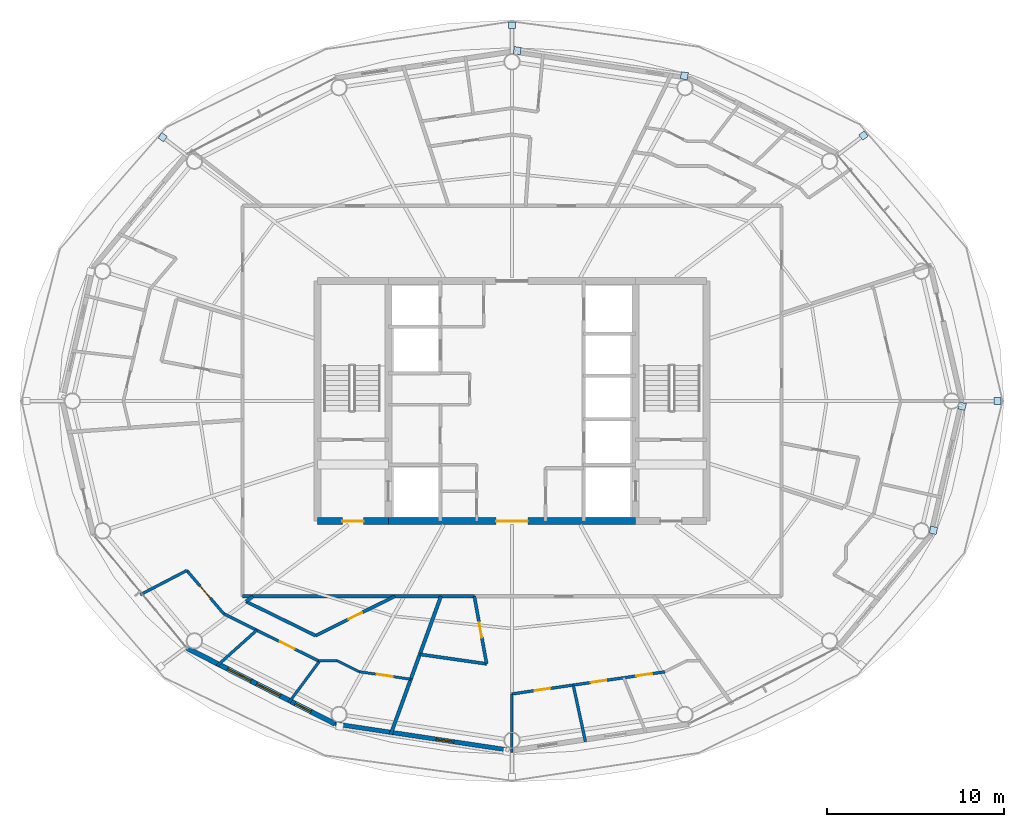
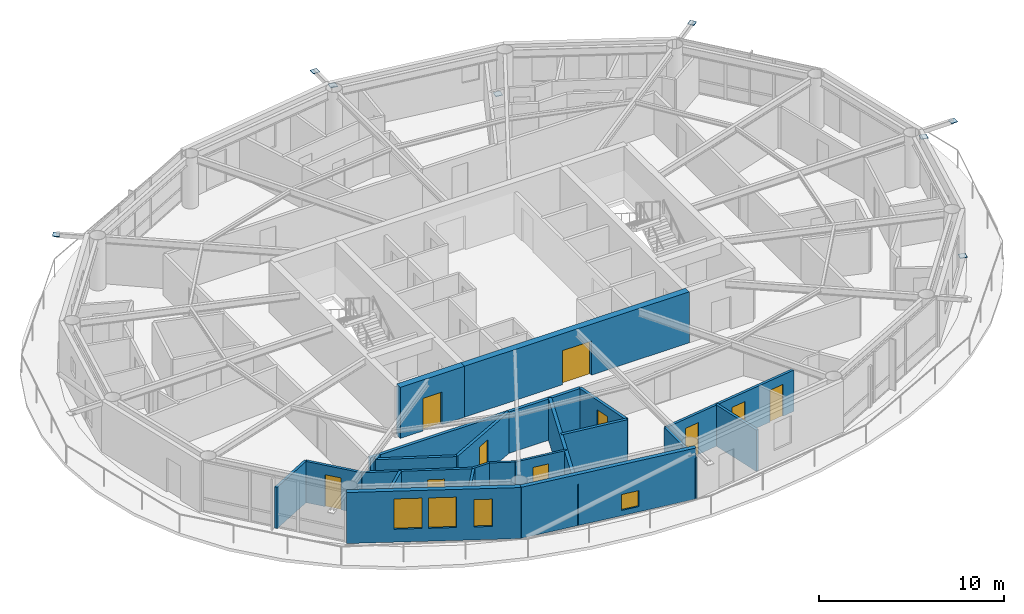
# One storey, part 15 of 23: 23 walls, 10 doors, 8 plates, 4 windows, 14 openings.
"""IFC4 building model written with IfcOpenShell, lengths in metres."""

from ifc_helpers import new_model, si_unit, direction, frame, frame_2d, origin, origin_2d, place, context, subcontext, project, spatial, rectangle, extrude, material, layer, layer_set, type_object, element, fill, save


model = new_model("IFC4")

# Units and contexts
model_context = context("Model", 3, precision=1e-05, world=origin(), true_north=direction((0.0, 1.0)))
body_context = subcontext(model_context, "Body", "Model", "MODEL_VIEW")
ifc_project = project(units=[si_unit("LENGTHUNIT", "METRE"), si_unit("AREAUNIT", "SQUARE_METRE"), si_unit("VOLUMEUNIT", "CUBIC_METRE"), si_unit("PLANEANGLEUNIT", "RADIAN"), si_unit("MASSUNIT", "GRAM", prefix="KILO")], contexts=[model_context])

# Site, building, storey
site_placement = place(None, origin())
site = spatial("IfcSite", under=ifc_project, at=site_placement, CompositionType="ELEMENT")
building_placement = place(site_placement, origin())
building = spatial("IfcBuilding", under=site, at=building_placement, Name="Sarneth Arch Tower", CompositionType="ELEMENT")
storey_placement = place(building_placement, frame((0.0, 0.0, 220.800048828125)))
storey = spatial("IfcBuildingStorey", under=building, at=storey_placement, Name="L56", CompositionType="ELEMENT", Elevation=220.800048828125)

# Plates
ifc_material_1 = material(Name="Steel S355", Category="steel")
ifc_layer_1 = layer(ifc_material_1, 0.035888671875)
ifc_layer_set_1 = layer_set([ifc_layer_1], Name="Steel S355")
plate_type = type_object("IfcPlateType", Name="PLT-GUSSET-30", PredefinedType="SHEET", material=ifc_layer_set_1)
for number, where, z_axis, x_axis, name in (
    (1, (75.47265625, 42.0, 3.18212890625), (0.0, 0.0, 1.0), (1.0, 0.0, 0.0), "Steel end cap plate GP-1"),
    (2, (67.890869140625, 57.0234375, 3.18212890625), (0.0, 0.0, 1.0), (0.798004853043, 0.602651022168, 0.0), "Steel end cap plate GP-1"),
):
    element("IfcPlate", number, at=place(storey_placement, frame(where, z_axis=z_axis, x_axis=x_axis)), inside=storey, type_object=plate_type, Name=name, PredefinedType="SHEET", context=body_context, shape_type="SweptSolid", body=[
        extrude(rectangle(XDim=0.3798828125, YDim=0.3798828125, at=origin_2d()), origin(), (0.0, 0.0, 1.0), 0.035888671875),
    ])
for number, where, z_axis, x_axis, name in (
    (3, (57.754150390625, 60.411376953125, 0.001953125), (0.0, 0.0, 1.0), (-0.988860535448, 0.148845024885, 0.0), "Steel end cap plate GP-1"),
    (4, (48.296630859375, 61.83544921875, 3.0185546875), (0.0, 0.0, 1.0), (-0.988860535448, 0.148845024885, 0.0), "Steel end cap plate GP-1"),
):
    element("IfcPlate", number, at=place(storey_placement, frame(where, z_axis=z_axis, x_axis=x_axis)), inside=storey, type_object=plate_type, Name=name, PredefinedType="SHEET", context=body_context, shape_type="SweptSolid", body=[
        extrude(rectangle(XDim=0.404052734375, YDim=0.404052734375, at=origin_2d()), origin(), (0.0, 0.0, 1.0), 0.035888671875),
    ])
for number, where, z_axis, x_axis, name in (
    (5, (48.0, 63.2607421875, 3.18212890625), (0.0, 0.0, 1.0), (0.0, 1.0, 0.0), "Steel end cap plate GP-1"),
    (6, (28.22998046875, 56.93212890625, 3.18212890625), (0.0, 0.0, 1.0), (-0.798004853043, 0.602651022168, 0.0), "Steel end cap plate GP-1"),
):
    element("IfcPlate", number, at=place(storey_placement, frame(where, z_axis=z_axis, x_axis=x_axis)), inside=storey, type_object=plate_type, Name=name, PredefinedType="SHEET", context=body_context, shape_type="SweptSolid", body=[
        extrude(rectangle(XDim=0.3798828125, YDim=0.3798828125, at=origin_2d()), origin(), (0.0, 0.0, 1.0), 0.035888671875),
    ])
for number, where, z_axis, x_axis, name in (
    (7, (71.851806640625, 34.6845703125, 0.001953125), (0.0, 0.0, 1.0), (0.225461202458, 0.974252147129, 0.0), "Steel end cap plate GP-1"),
    (8, (73.4765625, 41.707763671875, 3.0185546875), (0.0, 0.0, 1.0), (0.225461202458, 0.974252147129, 0.0), "Steel end cap plate GP-1"),
):
    element("IfcPlate", number, at=place(storey_placement, frame(where, z_axis=z_axis, x_axis=x_axis)), inside=storey, type_object=plate_type, Name=name, PredefinedType="SHEET", context=body_context, shape_type="SweptSolid", body=[
        extrude(rectangle(XDim=0.404052734375, YDim=0.404052734375, at=origin_2d()), origin(), (0.0, 0.0, 1.0), 0.035888671875),
    ])

# Wall, opening, door
ifc_material_2 = material(Name="Concrete C50/60", Category="concrete")
ifc_layer_2 = layer(ifc_material_2, 0.39990234375)
ifc_layer_set_2 = layer_set([ifc_layer_2], Name="Concrete C50/60")
wall_type_1 = type_object("IfcWallType", Name="WALL-CORE-400", PredefinedType="SHEAR", material=ifc_layer_set_2)
wall_1_placement = place(storey_placement, frame((37.0, 35.199951171875, 0.0), z_axis=(0.0, 0.0, 1.0), x_axis=(1.0, 0.0, 0.0)))
wall_1 = element("IfcWall", 9, at=wall_1_placement, inside=storey, type_object=wall_type_1, Name="L56 Core shear wall S-W", PredefinedType="SHEAR", context=body_context, shape_type="SweptSolid", body=[
    extrude(rectangle(XDim=4.0, YDim=0.39990234375, at=frame_2d((2.0, 0.0))), origin(), (0.0, 0.0, 1.0), 3.35986328125),
])
opening_1_placement = place(wall_1_placement, frame((1.39990234375, 0.0, 0.0)))
opening_1 = element("IfcOpeningElement", 10, at=opening_1_placement, cuts=wall_1, Name="Opening FD-02", PredefinedType="OPENING", context=body_context, shape_type="SweptSolid", body=[
    extrude(rectangle(XDim=1.199951171875, YDim=2.14990234375, at=frame_2d((0.60009765625, 1.074951171875))), frame((0.0, 0.2099609375, 0.0), z_axis=(0.0, -1.0, 0.0), x_axis=(1.0, 0.0, 0.0)), (0.0, 0.0, 1.0), 0.419921875),
])
ifc_material_3 = material(Name="Galvanised Steel S275 fire door set", Category="steel")
door_type_1 = type_object("IfcDoorType", Name="DR-FD90-1200", OperationType="SINGLE_SWING_LEFT", PredefinedType="DOOR", material=ifc_material_3)
door_1_placement = place(opening_1_placement, origin())
door_1 = element("IfcDoor", 11, at=door_1_placement, inside=storey, type_object=door_type_1, Name="L56 Firefighting lobby 1 exit door", OperationType="SINGLE_SWING_LEFT", OverallHeight=2.14990234375, OverallWidth=1.199951171875, PredefinedType="DOOR", context=body_context, shape_type="SweptSolid", body=[
    extrude(rectangle(XDim=1.199951171875, YDim=2.14990234375, at=frame_2d((0.60009765625, 1.074951171875))), frame((0.0, 0.02490234375, 0.0), z_axis=(0.0, -1.0, 0.0), x_axis=(1.0, 0.0, 0.0)), (0.0, 0.0, 1.0), 0.050048828125),
])
fill(opening_1, door_1)

wall_2_placement = place(storey_placement, frame((41.0, 35.199951171875, 0.0), z_axis=(0.0, 0.0, 1.0), x_axis=(1.0, 0.0, 0.0)))
wall_2 = element("IfcWall", 12, at=wall_2_placement, inside=storey, type_object=wall_type_1, Name="L56 Core shear wall S-M", PredefinedType="SHEAR", context=body_context, shape_type="SweptSolid", body=[
    extrude(rectangle(XDim=14.0, YDim=0.39990234375, at=frame_2d((7.0, 0.0))), origin(), (0.0, 0.0, 1.0), 3.35986328125),
])
opening_2_placement = place(wall_2_placement, frame((6.10009765625, 0.0, 0.0)))
opening_2 = element("IfcOpeningElement", 13, at=opening_2_placement, cuts=wall_2, Name="Opening FD-01", PredefinedType="OPENING", context=body_context, shape_type="SweptSolid", body=[
    extrude(rectangle(XDim=1.800048828125, YDim=2.25, at=frame_2d((0.89990234375, 1.125))), frame((0.0, 0.2099609375, 0.0), z_axis=(0.0, -1.0, 0.0), x_axis=(1.0, 0.0, 0.0)), (0.0, 0.0, 1.0), 0.419921875),
])
ifc_material_4 = material(Name="Galvanised Steel S275 fire door set", Category="steel")
door_type_2 = type_object("IfcDoorType", Name="DR-FD90-1800", OperationType="DOUBLE_DOOR_SINGLE_SWING", PredefinedType="DOOR", material=ifc_material_4)
door_2_placement = place(opening_2_placement, origin())
door_2 = element("IfcDoor", 14, at=door_2_placement, inside=storey, type_object=door_type_2, Name="L56 Central lift lobby south door", OperationType="DOUBLE_DOOR_SINGLE_SWING", OverallHeight=2.25, OverallWidth=1.800048828125, PredefinedType="DOOR", context=body_context, shape_type="SweptSolid", body=[
    extrude(rectangle(XDim=1.800048828125, YDim=2.25, at=frame_2d((0.89990234375, 1.125))), frame((0.0, 0.02490234375, 0.0), z_axis=(0.0, -1.0, 0.0), x_axis=(1.0, 0.0, 0.0)), (0.0, 0.0, 1.0), 0.050048828125),
])
fill(opening_2, door_2)

# Wall
ifc_material_5 = material(Name="Double steel-stud corridor fire wall", Category="steel")
ifc_layer_3 = layer(ifc_material_5, 0.18994140625)
ifc_layer_set_3 = layer_set([ifc_layer_3], Name="Double steel-stud corridor fire wall")
wall_type_2 = type_object("IfcWallType", Name="WALL-CORR-190", PredefinedType="PARTITIONING", material=ifc_layer_set_3)
wall_3_placement = place(storey_placement, frame((45.870361328125, 30.949951171875, 0.0), z_axis=(0.0, 0.0, 1.0), x_axis=(-1.0, 0.0, 0.0)))
element("IfcWall", 15, at=wall_3_placement, inside=storey, type_object=wall_type_2, Name="L56 Interior partition W-L56-TP-014", PredefinedType="PARTITIONING", context=body_context, shape_type="SweptSolid", body=[
    extrude(rectangle(XDim=13.120361328125, YDim=0.18994140625, at=frame_2d((6.56005859375, 0.0))), origin(), (0.0, 0.0, 1.0), 2.719970703125),
])

# Wall, opening, window
ifc_material_6 = material(Name="Extruded terracotta rainscreen on Concrete C40/50 backing", Category="masonry")
ifc_layer_4 = layer(ifc_material_6, 0.25)
ifc_layer_set_4 = layer_set([ifc_layer_4], Name="Extruded terracotta rainscreen on Concrete C40/50 backing")
wall_type_3 = type_object("IfcWallType", Name="WALL-EXT-SPAND-250", PredefinedType="SOLIDWALL", material=ifc_layer_set_4)
wall_4_placement = place(storey_placement, frame((37.9873046875, 23.7255859375, 0.0), z_axis=(0.0, 0.0, 1.0), x_axis=(0.988882522213, -0.148698881169, 0.0)))
wall_4 = element("IfcWall", 16, at=wall_4_placement, inside=storey, type_object=wall_type_3, Name="L56 Terracotta perimeter wall 12", PredefinedType="SOLIDWALL", context=body_context, shape_type="SweptSolid", body=[
    extrude(rectangle(XDim=10.125244140625, YDim=0.25, at=frame_2d((5.0625, 0.0))), origin(), (0.0, 0.0, 1.0), 3.35986328125),
])
opening_3_placement = place(wall_4_placement, frame((5.799072265625, 0.0, 0.35009765625)))
opening_3 = element("IfcOpeningElement", 17, at=opening_3_placement, cuts=wall_4, Name="Opening W-14", PredefinedType="OPENING", context=body_context, shape_type="SweptSolid", body=[
    extrude(rectangle(XDim=1.0, YDim=1.050048828125, at=frame_2d((0.5, 0.52490234375))), frame((0.0, 0.135009765625, 0.0), z_axis=(0.0, -1.0, 0.0), x_axis=(1.0, 0.0, 0.0)), (0.0, 0.0, 1.0), 0.27001953125),
])
ifc_material_7 = material(Name="Thermally broken Aluminium 6063-T6 and low-e laminated IGU", Category="aluminium")
window_type_1 = type_object("IfcWindowType", Name="WIN-TWR-1000x1050", PartitioningType="SINGLE_PANEL", PredefinedType="WINDOW", material=ifc_material_7)
window_1_placement = place(opening_3_placement, origin())
window_1 = element("IfcWindow", 18, at=window_1_placement, inside=storey, type_object=window_type_1, Name="L56 Dwelling bedroom window 04", OverallHeight=1.050048828125, OverallWidth=1.0, PartitioningType="SINGLE_PANEL", PredefinedType="WINDOW", context=body_context, shape_type="SweptSolid", body=[
    extrude(rectangle(XDim=1.0, YDim=1.050048828125, at=frame_2d((0.5, 0.52490234375))), frame((0.0, 0.030029296875, 0.0), z_axis=(0.0, -1.0, 0.0), x_axis=(1.0, 0.0, 0.0)), (0.0, 0.0, 1.0), 0.06005859375),
])
fill(opening_3, window_1)

# Wall, openings, windows
ifc_material_8 = material(Name="Extruded terracotta rainscreen on Concrete C40/50 backing", Category="masonry")
ifc_layer_5 = layer(ifc_material_8, 0.280029296875)
ifc_layer_set_5 = layer_set([ifc_layer_5], Name="Extruded terracotta rainscreen on Concrete C40/50 backing")
wall_type_4 = type_object("IfcWallType", Name="WALL-EXT-TERRA-280", PredefinedType="SOLIDWALL", material=ifc_layer_set_5)
wall_5_placement = place(storey_placement, frame((29.617431640625, 28.013427734375, 0.0), z_axis=(0.0, 0.0, 1.0), x_axis=(0.890007394051, -0.455946091699, 0.0)))
wall_5 = element("IfcWall", 19, at=wall_5_placement, inside=storey, type_object=wall_type_4, Name="L56 Terracotta perimeter wall 11", PredefinedType="SOLIDWALL", context=body_context, shape_type="SweptSolid", body=[
    extrude(rectangle(XDim=9.404296875, YDim=0.280029296875, at=frame_2d((4.7021484375, 0.0))), origin(), (0.0, 0.0, 1.0), 3.35986328125),
])
opening_4_placement = place(wall_5_placement, frame((2.56640625, 0.0, 0.85009765625)))
opening_4 = element("IfcOpeningElement", 20, at=opening_4_placement, cuts=wall_5, Name="Opening W-06", PredefinedType="OPENING", context=body_context, shape_type="SweptSolid", body=[
    extrude(rectangle(XDim=1.5, YDim=2.0, at=frame_2d((0.75, 1.0))), frame((0.0, 0.14990234375, 0.0), z_axis=(0.0, -1.0, 0.0), x_axis=(1.0, 0.0, 0.0)), (0.0, 0.0, 1.0), 0.300048828125),
])
opening_5_placement = place(wall_5_placement, frame((4.420654296875, 0.0, 0.85009765625)))
opening_5 = element("IfcOpeningElement", 21, at=opening_5_placement, cuts=wall_5, Name="Opening W-06", PredefinedType="OPENING", context=body_context, shape_type="SweptSolid", body=[
    extrude(rectangle(XDim=1.5, YDim=2.0, at=frame_2d((0.75, 1.0))), frame((0.0, 0.14990234375, 0.0), z_axis=(0.0, -1.0, 0.0), x_axis=(1.0, 0.0, 0.0)), (0.0, 0.0, 1.0), 0.300048828125),
])
opening_6_placement = place(wall_5_placement, frame((6.8662109375, 0.0, 0.85009765625)))
opening_6 = element("IfcOpeningElement", 22, at=opening_6_placement, cuts=wall_5, Name="Opening W-11", PredefinedType="OPENING", context=body_context, shape_type="SweptSolid", body=[
    extrude(rectangle(XDim=1.0, YDim=1.800048828125, at=frame_2d((0.5, 0.89990234375))), frame((0.0, 0.14990234375, 0.0), z_axis=(0.0, -1.0, 0.0), x_axis=(1.0, 0.0, 0.0)), (0.0, 0.0, 1.0), 0.300048828125),
])
ifc_material_9 = material(Name="Thermally broken Aluminium 6063-T6 and low-e laminated IGU", Category="aluminium")
window_type_2 = type_object("IfcWindowType", Name="WIN-TWR-1000x1800", PartitioningType="SINGLE_PANEL", PredefinedType="WINDOW", material=ifc_material_9)
window_2_placement = place(opening_6_placement, origin())
window_2 = element("IfcWindow", 23, at=window_2_placement, inside=storey, type_object=window_type_2, Name="L56 Exterior window 11C", OverallHeight=1.800048828125, OverallWidth=1.0, PartitioningType="SINGLE_PANEL", PredefinedType="WINDOW", context=body_context, shape_type="SweptSolid", body=[
    extrude(rectangle(XDim=1.0, YDim=1.800048828125, at=frame_2d((0.5, 0.89990234375))), frame((0.0, 0.030029296875, 0.0), z_axis=(0.0, -1.0, 0.0), x_axis=(1.0, 0.0, 0.0)), (0.0, 0.0, 1.0), 0.06005859375),
])
fill(opening_6, window_2)
ifc_material_10 = material(Name="Thermally broken Aluminium 6063-T6 and low-e laminated IGU", Category="aluminium")
window_type_3 = type_object("IfcWindowType", Name="WIN-TWR-1500x2000", PartitioningType="SINGLE_PANEL", PredefinedType="WINDOW", material=ifc_material_10)
window_3_placement = place(opening_4_placement, origin())
window_3 = element("IfcWindow", 24, at=window_3_placement, inside=storey, type_object=window_type_3, Name="L56 Exterior window 11A", OverallHeight=2.0, OverallWidth=1.5, PartitioningType="SINGLE_PANEL", PredefinedType="WINDOW", context=body_context, shape_type="SweptSolid", body=[
    extrude(rectangle(XDim=1.5, YDim=2.0, at=frame_2d((0.75, 1.0))), frame((0.0, 0.030029296875, 0.0), z_axis=(0.0, -1.0, 0.0), x_axis=(1.0, 0.0, 0.0)), (0.0, 0.0, 1.0), 0.06005859375),
])
fill(opening_4, window_3)
window_4_placement = place(opening_5_placement, origin())
window_4 = element("IfcWindow", 25, at=window_4_placement, inside=storey, type_object=window_type_3, Name="L56 Exterior window 11B", OverallHeight=2.0, OverallWidth=1.5, PartitioningType="SINGLE_PANEL", PredefinedType="WINDOW", context=body_context, shape_type="SweptSolid", body=[
    extrude(rectangle(XDim=1.5, YDim=2.0, at=frame_2d((0.75, 1.0))), frame((0.0, 0.030029296875, 0.0), z_axis=(0.0, -1.0, 0.0), x_axis=(1.0, 0.0, 0.0)), (0.0, 0.0, 1.0), 0.06005859375),
])
fill(opening_5, window_4)

# Wall, opening, door
ifc_material_11 = material(Name="Apartment internal stud partition", Category="gypsum")
ifc_layer_6 = layer(ifc_material_11, 0.139892578125)
ifc_layer_set_6 = layer_set([ifc_layer_6], Name="Apartment internal stud partition")
wall_type_5 = type_object("IfcWallType", Name="WALL-PART-140", PredefinedType="PARTITIONING", material=ifc_layer_set_6)
wall_6_placement = place(storey_placement, frame((42.26953125, 26.255615234375, 0.0), z_axis=(0.0, 0.0, 1.0), x_axis=(-0.989530523264, 0.144323745545, 0.0)))
wall_6 = element("IfcWall", 26, at=wall_6_placement, inside=storey, type_object=wall_type_5, Name="L56 Interior partition W-L56-TP-074", PredefinedType="PARTITIONING", context=body_context, shape_type="SweptSolid", body=[
    extrude(rectangle(XDim=2.955322265625, YDim=0.139892578125, at=frame_2d((1.4775390625, 0.0))), origin(), (0.0, 0.0, 1.0), 2.719970703125),
])
opening_7_placement = place(wall_6_placement, frame((1.027587890625, 0.0, 0.0)))
opening_7 = element("IfcOpeningElement", 27, at=opening_7_placement, cuts=wall_6, Name="Opening ID-01", PredefinedType="OPENING", context=body_context, shape_type="SweptSolid", body=[
    extrude(rectangle(XDim=0.89990234375, YDim=2.10009765625, at=frame_2d((0.449951171875, 1.050048828125))), frame((0.0, 0.079833984375, 0.0), z_axis=(0.0, -1.0, 0.0), x_axis=(1.0, 0.0, 0.0)), (0.0, 0.0, 1.0), 0.159912109375),
])
ifc_material_12 = material(Name="Engineered hardwood flush door", Category="wood")
door_type_3 = type_object("IfcDoorType", Name="DR-INT-900", OperationType="SINGLE_SWING_LEFT", PredefinedType="DOOR", material=ifc_material_12)
door_3_placement = place(opening_7_placement, origin())
door_3 = element("IfcDoor", 28, at=door_3_placement, inside=storey, type_object=door_type_3, Name="L56 Interior door DR-L56-U5-BED2", OperationType="SINGLE_SWING_RIGHT", OverallHeight=2.10009765625, OverallWidth=0.89990234375, PredefinedType="DOOR", context=body_context, shape_type="SweptSolid", body=[
    extrude(rectangle(XDim=0.89990234375, YDim=2.10009765625, at=frame_2d((0.449951171875, 1.050048828125))), frame((0.0, 0.02490234375, 0.0), z_axis=(0.0, -1.0, 0.0), x_axis=(1.0, 0.0, 0.0)), (0.0, 0.0, 1.0), 0.050048828125),
])
fill(opening_7, door_3)

# Walls
wall_7_placement = place(storey_placement, frame((39.34521484375, 26.68212890625, 0.0), z_axis=(0.0, 0.0, 1.0), x_axis=(-0.895584310315, 0.444891833053, 0.0)))
element("IfcWall", 29, at=wall_7_placement, inside=storey, type_object=wall_type_5, Name="L56 Interior partition W-L56-TP-075", PredefinedType="PARTITIONING", context=body_context, shape_type="SweptSolid", body=[
    extrude(rectangle(XDim=1.388916015625, YDim=0.139892578125, at=frame_2d((0.6943359375, 0.0))), origin(), (0.0, 0.0, 1.0), 2.719970703125),
])
wall_8_placement = place(storey_placement, frame((38.101318359375, 27.300048828125, 0.0), z_axis=(0.0, 0.0, 1.0), x_axis=(-1.0, 0.0, 0.0)))
element("IfcWall", 30, at=wall_8_placement, inside=storey, type_object=wall_type_5, Name="L56 Interior partition W-L56-TP-076", PredefinedType="PARTITIONING", context=body_context, shape_type="SweptSolid", body=[
    extrude(rectangle(XDim=1.065185546875, YDim=0.139892578125, at=frame_2d((0.53271484375, 0.0))), origin(), (0.0, 0.0, 1.0), 2.719970703125),
])
ifc_material_13 = material(Name="Acoustic gypsum stud partition", Category="gypsum")
ifc_layer_7 = layer(ifc_material_13, 0.14990234375)
ifc_layer_set_7 = layer_set([ifc_layer_7], Name="Acoustic gypsum stud partition")
wall_type_6 = type_object("IfcWallType", Name="WALL-PART-150", PredefinedType="PARTITIONING", material=ifc_layer_set_7)
wall_9_placement = place(storey_placement, frame((35.37109375, 24.932861328125, 0.0), z_axis=(0.0, 0.0, 1.0), x_axis=(0.594787288624, 0.803883126637, 0.0)))
element("IfcWall", 31, at=wall_9_placement, inside=storey, type_object=wall_type_6, Name="L56 Interior partition W-L56-TP-080", PredefinedType="PARTITIONING", context=body_context, shape_type="SweptSolid", body=[
    extrude(rectangle(XDim=2.944580078125, YDim=0.14990234375, at=frame_2d((1.47216796875, 0.0))), origin(), (0.0, 0.0, 1.0), 2.719970703125),
])

# Wall, opening, door
ifc_material_14 = material(Name="Kitchen wet service chase wall", Category="gypsum")
ifc_layer_8 = layer(ifc_material_14, 0.159912109375)
ifc_layer_set_8 = layer_set([ifc_layer_8], Name="Kitchen wet service chase wall")
wall_type_7 = type_object("IfcWallType", Name="WALL-PLUMB-160", PredefinedType="PLUMBINGWALL", material=ifc_layer_set_8)
wall_10_placement = place(storey_placement, frame((37.0361328125, 27.300048828125, 0.0), z_axis=(0.0, 0.0, 1.0), x_axis=(-0.895471406875, 0.445119039661, 0.0)))
wall_10 = element("IfcWall", 32, at=wall_10_placement, inside=storey, type_object=wall_type_7, Name="L56 Interior partition W-L56-TP-073", PredefinedType="PLUMBINGWALL", context=body_context, shape_type="SweptSolid", body=[
    extrude(rectangle(XDim=5.971435546875, YDim=0.159912109375, at=frame_2d((2.98583984375, 0.0))), origin(), (0.0, 0.0, 1.0), 2.719970703125),
])
opening_8_placement = place(wall_10_placement, frame((1.51171875, 0.0, 0.0)))
opening_8 = element("IfcOpeningElement", 33, at=opening_8_placement, cuts=wall_10, Name="Opening ID-01", PredefinedType="OPENING", context=body_context, shape_type="SweptSolid", body=[
    extrude(rectangle(XDim=0.89990234375, YDim=2.10009765625, at=frame_2d((0.449951171875, 1.050048828125))), frame((0.0, 0.08984375, 0.0), z_axis=(0.0, -1.0, 0.0), x_axis=(1.0, 0.0, 0.0)), (0.0, 0.0, 1.0), 0.179931640625),
])
door_4_placement = place(opening_8_placement, origin())
door_4 = element("IfcDoor", 34, at=door_4_placement, inside=storey, type_object=door_type_3, Name="L56 Interior door DR-L56-U5-BED1", OperationType="SINGLE_SWING_RIGHT", OverallHeight=2.10009765625, OverallWidth=0.89990234375, PredefinedType="DOOR", context=body_context, shape_type="SweptSolid", body=[
    extrude(rectangle(XDim=0.89990234375, YDim=2.10009765625, at=frame_2d((0.449951171875, 1.050048828125))), frame((0.0, 0.02490234375, 0.0), z_axis=(0.0, -1.0, 0.0), x_axis=(1.0, 0.0, 0.0)), (0.0, 0.0, 1.0), 0.050048828125),
])
fill(opening_8, door_4)

# Wall, openings, doors
wall_11_placement = place(storey_placement, frame((47.98779296875, 25.421875, 0.0), z_axis=(0.0, 0.0, 1.0), x_axis=(0.989682378547, 0.143278712982, 0.0)))
wall_11 = element("IfcWall", 35, at=wall_11_placement, inside=storey, type_object=wall_type_7, Name="L56 Interior partition W-L56-TP-083", PredefinedType="PLUMBINGWALL", context=body_context, shape_type="SweptSolid", body=[
    extrude(rectangle(XDim=8.75830078125, YDim=0.159912109375, at=frame_2d((4.379150390625, 0.0))), origin(), (0.0, 0.0, 1.0), 2.719970703125),
])
opening_9_placement = place(wall_11_placement, frame((1.3076171875, 0.0, 0.0)))
opening_9 = element("IfcOpeningElement", 36, at=opening_9_placement, cuts=wall_11, Name="Opening ID-01", PredefinedType="OPENING", context=body_context, shape_type="SweptSolid", body=[
    extrude(rectangle(XDim=0.89990234375, YDim=2.10009765625, at=frame_2d((0.449951171875, 1.050048828125))), frame((0.0, 0.08984375, 0.0), z_axis=(0.0, -1.0, 0.0), x_axis=(1.0, 0.0, 0.0)), (0.0, 0.0, 1.0), 0.179931640625),
])
opening_10_placement = place(wall_11_placement, frame((4.510498046875, 0.0, 0.0)))
opening_10 = element("IfcOpeningElement", 37, at=opening_10_placement, cuts=wall_11, Name="Opening ID-01", PredefinedType="OPENING", context=body_context, shape_type="SweptSolid", body=[
    extrude(rectangle(XDim=0.89990234375, YDim=2.10009765625, at=frame_2d((0.449951171875, 1.050048828125))), frame((0.0, 0.08984375, 0.0), z_axis=(0.0, -1.0, 0.0), x_axis=(1.0, 0.0, 0.0)), (0.0, 0.0, 1.0), 0.179931640625),
])
opening_11_placement = place(wall_11_placement, frame((7.114990234375, 0.0, 0.0)))
opening_11 = element("IfcOpeningElement", 38, at=opening_11_placement, cuts=wall_11, Name="Opening ID-01", PredefinedType="OPENING", context=body_context, shape_type="SweptSolid", body=[
    extrude(rectangle(XDim=0.89990234375, YDim=2.10009765625, at=frame_2d((0.449951171875, 1.050048828125))), frame((0.0, 0.08984375, 0.0), z_axis=(0.0, -1.0, 0.0), x_axis=(1.0, 0.0, 0.0)), (0.0, 0.0, 1.0), 0.179931640625),
])
door_5_placement = place(opening_9_placement, origin())
door_5 = element("IfcDoor", 39, at=door_5_placement, inside=storey, type_object=door_type_3, Name="L56 Interior door DR-L56-U6-KIT", OperationType="SINGLE_SWING_RIGHT", OverallHeight=2.10009765625, OverallWidth=0.89990234375, PredefinedType="DOOR", context=body_context, shape_type="SweptSolid", body=[
    extrude(rectangle(XDim=0.89990234375, YDim=2.10009765625, at=frame_2d((0.449951171875, 1.050048828125))), frame((0.0, 0.02490234375, 0.0), z_axis=(0.0, -1.0, 0.0), x_axis=(1.0, 0.0, 0.0)), (0.0, 0.0, 1.0), 0.050048828125),
])
fill(opening_9, door_5)
door_6_placement = place(opening_10_placement, origin())
door_6 = element("IfcDoor", 40, at=door_6_placement, inside=storey, type_object=door_type_3, Name="L56 Interior door DR-L56-U6-BED1", OperationType="SINGLE_SWING_RIGHT", OverallHeight=2.10009765625, OverallWidth=0.89990234375, PredefinedType="DOOR", context=body_context, shape_type="SweptSolid", body=[
    extrude(rectangle(XDim=0.89990234375, YDim=2.10009765625, at=frame_2d((0.449951171875, 1.050048828125))), frame((0.0, 0.02490234375, 0.0), z_axis=(0.0, -1.0, 0.0), x_axis=(1.0, 0.0, 0.0)), (0.0, 0.0, 1.0), 0.050048828125),
])
fill(opening_10, door_6)
door_7_placement = place(opening_11_placement, origin())
door_7 = element("IfcDoor", 41, at=door_7_placement, inside=storey, type_object=door_type_3, Name="L56 Interior door DR-L56-U6-BED2", OperationType="SINGLE_SWING_LEFT", OverallHeight=2.10009765625, OverallWidth=0.89990234375, PredefinedType="DOOR", context=body_context, shape_type="SweptSolid", body=[
    extrude(rectangle(XDim=0.89990234375, YDim=2.10009765625, at=frame_2d((0.449951171875, 1.050048828125))), frame((0.0, 0.02490234375, 0.0), z_axis=(0.0, -1.0, 0.0), x_axis=(1.0, 0.0, 0.0)), (0.0, 0.0, 1.0), 0.050048828125),
])
fill(opening_11, door_7)

# Walls
wall_12_placement = place(storey_placement, frame((47.985107421875, 22.102294921875, 0.0), z_axis=(0.0, 0.0, 1.0), x_axis=(0.000809001721, 0.999999672758, 0.0)))
element("IfcWall", 42, at=wall_12_placement, inside=storey, type_object=wall_type_7, Name="L56 Interior partition W-L56-TP-082", PredefinedType="PLUMBINGWALL", context=body_context, shape_type="SweptSolid", body=[
    extrude(rectangle(XDim=3.319580078125, YDim=0.159912109375, at=frame_2d((1.65966796875, 0.0))), origin(), (0.0, 0.0, 1.0), 2.719970703125),
])
wall_13_placement = place(storey_placement, frame((51.466796875, 25.925537109375, 0.0), z_axis=(0.0, 0.0, 1.0), x_axis=(0.210745686609, -0.977540922711, 0.0)))
element("IfcWall", 43, at=wall_13_placement, inside=storey, type_object=wall_type_7, Name="L56 Interior partition W-L56-TP-091", PredefinedType="PLUMBINGWALL", context=body_context, shape_type="SweptSolid", body=[
    extrude(rectangle(XDim=3.27490234375, YDim=0.159912109375, at=frame_2d((1.637451171875, 0.0))), origin(), (0.0, 0.0, 1.0), 2.719970703125),
])

# Wall, opening, door
wall_14_placement = place(storey_placement, frame((31.68896484375, 29.9580078125, 0.0), z_axis=(0.0, 0.0, 1.0), x_axis=(-0.649012353166, 0.760777868657, 0.0)))
wall_14 = element("IfcWall", 44, at=wall_14_placement, inside=storey, type_object=wall_type_7, Name="L56 Interior partition W-L56-TP-067", PredefinedType="PLUMBINGWALL", context=body_context, shape_type="SweptSolid", body=[
    extrude(rectangle(XDim=3.22412109375, YDim=0.159912109375, at=frame_2d((1.612060546875, 0.0))), origin(), (0.0, 0.0, 1.0), 2.719970703125),
])
opening_12_placement = place(wall_14_placement, frame((1.162109375, 0.0, 0.0)))
opening_12 = element("IfcOpeningElement", 45, at=opening_12_placement, cuts=wall_14, Name="Opening ID-01", PredefinedType="OPENING", context=body_context, shape_type="SweptSolid", body=[
    extrude(rectangle(XDim=0.89990234375, YDim=2.10009765625, at=frame_2d((0.449951171875, 1.050048828125))), frame((0.0, 0.08984375, 0.0), z_axis=(0.0, -1.0, 0.0), x_axis=(1.0, 0.0, 0.0)), (0.0, 0.0, 1.0), 0.179931640625),
])
door_8_placement = place(opening_12_placement, origin())
door_8 = element("IfcDoor", 46, at=door_8_placement, inside=storey, type_object=door_type_3, Name="L56 Interior door DR-L56-U5-KIT", OperationType="SINGLE_SWING_RIGHT", OverallHeight=2.10009765625, OverallWidth=0.89990234375, PredefinedType="DOOR", context=body_context, shape_type="SweptSolid", body=[
    extrude(rectangle(XDim=0.89990234375, YDim=2.10009765625, at=frame_2d((0.449951171875, 1.050048828125))), frame((0.0, 0.02490234375, 0.0), z_axis=(0.0, -1.0, 0.0), x_axis=(1.0, 0.0, 0.0)), (0.0, 0.0, 1.0), 0.050048828125),
])
fill(opening_12, door_8)

# Walls
wall_15_placement = place(storey_placement, frame((31.3125, 27.019287109375, 0.0), z_axis=(0.0, 0.0, 1.0), x_axis=(0.744144111532, 0.668019117445, 0.0)))
element("IfcWall", 47, at=wall_15_placement, inside=storey, type_object=wall_type_7, Name="L56 Interior partition W-L56-TP-079", PredefinedType="PLUMBINGWALL", context=body_context, shape_type="SweptSolid", body=[
    extrude(rectangle(XDim=3.011474609375, YDim=0.159912109375, at=frame_2d((1.505859375, 0.0))), origin(), (0.0, 0.0, 1.0), 2.719970703125),
])
wall_16_placement = place(storey_placement, frame((29.596435546875, 32.410888671875, 0.0), z_axis=(0.0, 0.0, 1.0), x_axis=(-0.886874801181, -0.462009834344, 0.0)))
element("IfcWall", 48, at=wall_16_placement, inside=storey, type_object=wall_type_7, Name="L56 Interior partition W-L56-TP-068", PredefinedType="PLUMBINGWALL", context=body_context, shape_type="SweptSolid", body=[
    extrude(rectangle(XDim=2.970947265625, YDim=0.159912109375, at=frame_2d((1.4853515625, 0.0))), origin(), (0.0, 0.0, 1.0), 2.719970703125),
])

# Wall, opening, door
ifc_material_15 = material(Name="Moisture-resistant plumbing chase wall", Category="gypsum")
ifc_layer_9 = layer(ifc_material_15, 0.179931640625)
ifc_layer_set_9 = layer_set([ifc_layer_9], Name="Moisture-resistant plumbing chase wall")
wall_type_8 = type_object("IfcWallType", Name="WALL-PLUMB-180", PredefinedType="PLUMBINGWALL", material=ifc_layer_set_9)
wall_17_placement = place(storey_placement, frame((41.366455078125, 30.949951171875, 0.0), z_axis=(0.0, 0.0, 1.0), x_axis=(-0.895701232799, -0.444656385946, 0.0)))
wall_17 = element("IfcWall", 49, at=wall_17_placement, inside=storey, type_object=wall_type_8, Name="L56 Interior partition W-L56-TP-069", PredefinedType="PLUMBINGWALL", context=body_context, shape_type="SweptSolid", body=[
    extrude(rectangle(XDim=5.00634765625, YDim=0.179931640625, at=frame_2d((2.503173828125, 0.0))), origin(), (0.0, 0.0, 1.0), 2.719970703125),
])
opening_13_placement = place(wall_17_placement, frame((2.078125, 0.0, 0.0)))
opening_13 = element("IfcOpeningElement", 50, at=opening_13_placement, cuts=wall_17, Name="Opening ID-02", PredefinedType="OPENING", context=body_context, shape_type="SweptSolid", body=[
    extrude(rectangle(XDim=0.85009765625, YDim=2.10009765625, at=frame_2d((0.425048828125, 1.050048828125))), frame((0.0, 0.099853515625, 0.0), z_axis=(0.0, -1.0, 0.0), x_axis=(1.0, 0.0, 0.0)), (0.0, 0.0, 1.0), 0.199951171875),
])
ifc_material_16 = material(Name="Moisture-resistant bathroom timber door", Category="wood")
door_type_4 = type_object("IfcDoorType", Name="DR-INT-850", OperationType="SINGLE_SWING_RIGHT", PredefinedType="DOOR", material=ifc_material_16)
door_9_placement = place(opening_13_placement, origin())
door_9 = element("IfcDoor", 51, at=door_9_placement, inside=storey, type_object=door_type_4, Name="L56 Interior door DR-L56-U5-BATH", OperationType="SINGLE_SWING_LEFT", OverallHeight=2.10009765625, OverallWidth=0.85009765625, PredefinedType="DOOR", context=body_context, shape_type="SweptSolid", body=[
    extrude(rectangle(XDim=0.85009765625, YDim=2.10009765625, at=frame_2d((0.425048828125, 1.050048828125))), frame((0.0, 0.02490234375, 0.0), z_axis=(0.0, -1.0, 0.0), x_axis=(1.0, 0.0, 0.0)), (0.0, 0.0, 1.0), 0.050048828125),
])
fill(opening_13, door_9)

# Wall
wall_18_placement = place(storey_placement, frame((36.88232421875, 28.723876953125, 0.0), z_axis=(0.0, 0.0, 1.0), x_axis=(-0.897797301304, 0.440408907461, 0.0)))
element("IfcWall", 52, at=wall_18_placement, inside=storey, type_object=wall_type_8, Name="L56 Interior partition W-L56-TP-070", PredefinedType="PLUMBINGWALL", context=body_context, shape_type="SweptSolid", body=[
    extrude(rectangle(XDim=4.385498046875, YDim=0.179931640625, at=frame_2d((2.19287109375, 0.0))), origin(), (0.0, 0.0, 1.0), 2.719970703125),
])

# Wall, opening, door
wall_19_placement = place(storey_placement, frame((46.563720703125, 27.12548828125, 0.0), z_axis=(0.0, 0.0, 1.0), x_axis=(-0.178387939108, 0.983960234553, 0.0)))
wall_19 = element("IfcWall", 53, at=wall_19_placement, inside=storey, type_object=wall_type_8, Name="L56 Interior partition W-L56-TP-085", PredefinedType="PLUMBINGWALL", context=body_context, shape_type="SweptSolid", body=[
    extrude(rectangle(XDim=3.88671875, YDim=0.179931640625, at=frame_2d((1.943359375, 0.0))), origin(), (0.0, 0.0, 1.0), 2.719970703125),
])
opening_14_placement = place(wall_19_placement, frame((1.518310546875, 0.0, 0.0)))
opening_14 = element("IfcOpeningElement", 54, at=opening_14_placement, cuts=wall_19, Name="Opening ID-02", PredefinedType="OPENING", context=body_context, shape_type="SweptSolid", body=[
    extrude(rectangle(XDim=0.85009765625, YDim=2.10009765625, at=frame_2d((0.425048828125, 1.050048828125))), frame((0.0, 0.099853515625, 0.0), z_axis=(0.0, -1.0, 0.0), x_axis=(1.0, 0.0, 0.0)), (0.0, 0.0, 1.0), 0.199951171875),
])
door_10_placement = place(opening_14_placement, origin())
door_10 = element("IfcDoor", 55, at=door_10_placement, inside=storey, type_object=door_type_4, Name="L56 Interior door DR-L56-U6-BATH", OperationType="SINGLE_SWING_RIGHT", OverallHeight=2.10009765625, OverallWidth=0.85009765625, PredefinedType="DOOR", context=body_context, shape_type="SweptSolid", body=[
    extrude(rectangle(XDim=0.85009765625, YDim=2.10009765625, at=frame_2d((0.425048828125, 1.050048828125))), frame((0.0, 0.02490234375, 0.0), z_axis=(0.0, -1.0, 0.0), x_axis=(1.0, 0.0, 0.0)), (0.0, 0.0, 1.0), 0.050048828125),
])
fill(opening_14, door_10)

# Walls
wall_20_placement = place(storey_placement, frame((42.782958984375, 27.666259765625, 0.0), z_axis=(0.0, 0.0, 1.0), x_axis=(0.989925187984, -0.141591391669, 0.0)))
element("IfcWall", 56, at=wall_20_placement, inside=storey, type_object=wall_type_8, Name="L56 Interior partition W-L56-TP-084", PredefinedType="PLUMBINGWALL", context=body_context, shape_type="SweptSolid", body=[
    extrude(rectangle(XDim=3.8193359375, YDim=0.179931640625, at=frame_2d((1.90966796875, 0.0))), origin(), (0.0, 0.0, 1.0), 2.719970703125),
])
wall_21_placement = place(storey_placement, frame((32.945068359375, 30.6552734375, 0.0), z_axis=(0.0, 0.0, 1.0), x_axis=(0.798681895285, 0.601753462927, 0.0)))
element("IfcWall", 57, at=wall_21_placement, inside=storey, type_object=wall_type_8, Name="L56 Interior partition W-L56-TP-071", PredefinedType="PLUMBINGWALL", context=body_context, shape_type="SweptSolid", body=[
    extrude(rectangle(XDim=0.48974609375, YDim=0.179931640625, at=frame_2d((0.244873046875, 0.0))), origin(), (0.0, 0.0, 1.0), 2.719970703125),
])
ifc_material_17 = material(Name="Double steel-stud acoustic drywall", Category="steel")
ifc_layer_10 = layer(ifc_material_17, 0.199951171875)
ifc_layer_set_10 = layer_set([ifc_layer_10], Name="Double steel-stud acoustic drywall")
wall_type_9 = type_object("IfcWallType", Name="WALL-UNIT-200", PredefinedType="PARTITIONING", material=ifc_layer_set_10)
wall_22_placement = place(storey_placement, frame((43.97802734375, 30.949951171875, 0.0), z_axis=(0.0, 0.0, 1.0), x_axis=(-0.34200203284, -0.939699212266, 0.0)))
element("IfcWall", 58, at=wall_22_placement, inside=storey, type_object=wall_type_9, Name="L56 Interior partition W-L56-TP-078", PredefinedType="PARTITIONING", context=body_context, shape_type="SweptSolid", body=[
    extrude(rectangle(XDim=4.99560546875, YDim=0.199951171875, at=frame_2d((2.497802734375, 0.0))), origin(), (0.0, 0.0, 1.0), 2.719970703125),
])
wall_23_placement = place(storey_placement, frame((41.13330078125, 23.133544921875, 0.0), z_axis=(0.0, 0.0, 1.0), x_axis=(0.342000121366, 0.939699907942, 0.0)))
element("IfcWall", 59, at=wall_23_placement, inside=storey, type_object=wall_type_9, Name="L56 Interior partition W-L56-TP-081", PredefinedType="PARTITIONING", context=body_context, shape_type="SweptSolid", body=[
    extrude(rectangle(XDim=3.355224609375, YDim=0.199951171875, at=frame_2d((1.677734375, 0.0))), origin(), (0.0, 0.0, 1.0), 2.719970703125),
])

save(model, "model.ifc")
